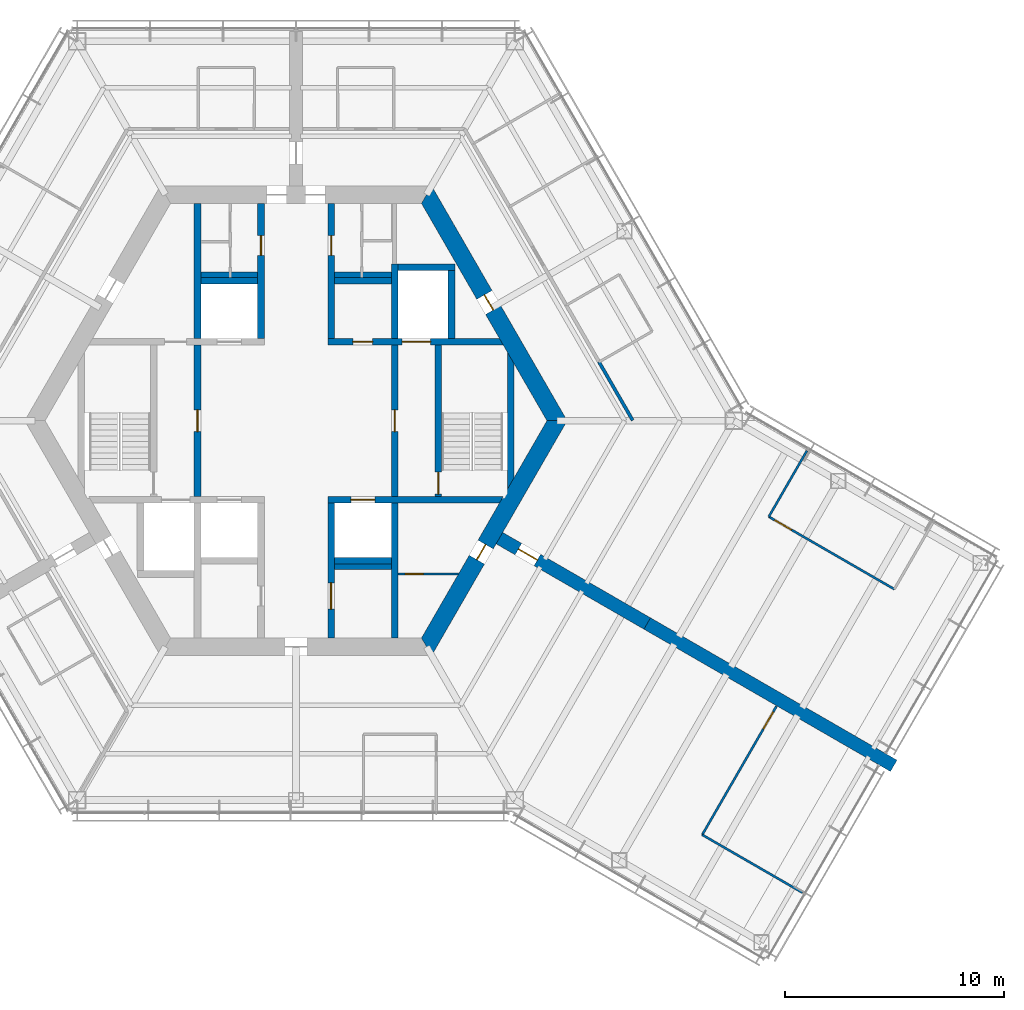
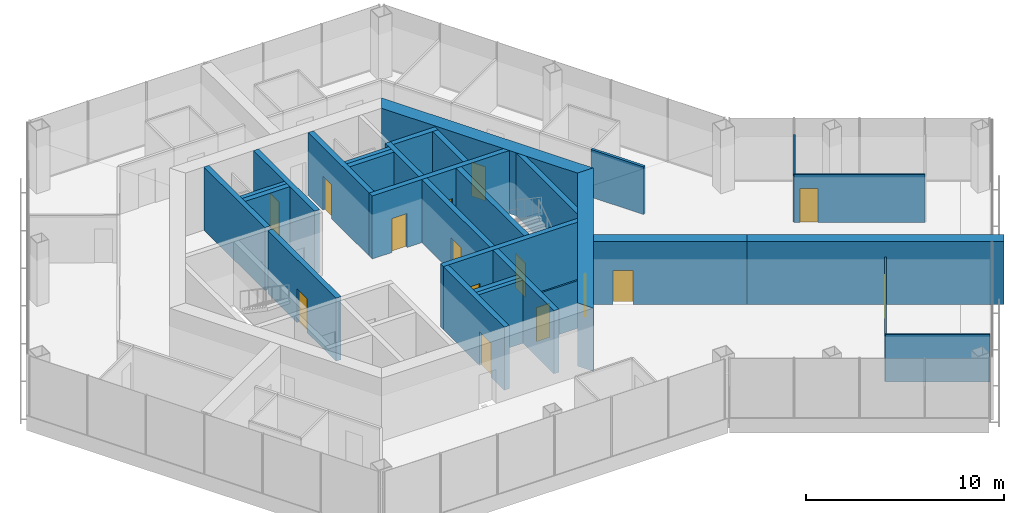
# One storey, part 11 of 15: 30 walls, 15 doors, 15 openings.
"""IFC4 building model written with IfcOpenShell, lengths in metres."""

import ifcopenshell
import ifcopenshell.guid

model = None  # the IFC model being written
_history = None  # IfcOwnerHistory: only IFC2X3 demands one
_inside = {}  # id of a spatial element -> (the spatial element, [elements in it])
_under = {}  # id of a project, library or spatial element -> (it, [spatial elements below it])
_declared = {}  # id of a project -> (the project, [libraries it declares])
_typed = {}  # id of a type object -> (the type object, [elements of that type])
_made_of = {}  # id of a material, layer set ... -> (it, [elements and type objects made of it])


def new_model(schema):
    """Start an empty IFC model of exactly this schema.

    Asked for "IFC4X3", IfcOpenShell would pick the latest addendum, in which some entities
    have other attributes; the version numbers below select the first issue.
    IFC2X3 requires an IfcOwnerHistory on every rooted entity: one is made here for all.
    """
    global model, _history
    if schema == "IFC4X3":
        model = ifcopenshell.file(schema_version=(4, 3, 0, 0))
    else:
        model = ifcopenshell.file(schema=schema)
    _inside.clear()
    _under.clear()
    _declared.clear()
    _typed.clear()
    _made_of.clear()
    _history = None
    if model.schema == "IFC2X3":
        org = make("IfcOrganization", Name="unknown")
        user = make(
            "IfcPersonAndOrganization",
            ThePerson=make("IfcPerson", FamilyName="unknown"),
            TheOrganization=org,
        )
        app = make(
            "IfcApplication",
            ApplicationDeveloper=org,
            Version="unknown",
            ApplicationFullName="unknown",
            ApplicationIdentifier="unknown",
        )
        _history = make(
            "IfcOwnerHistory",
            OwningUser=user,
            OwningApplication=app,
            ChangeAction="ADDED",
            CreationDate=0,
        )
    return model


def make(cls, **values):
    """One entity of the class cls with the attributes given. An attribute that is None is left unset."""
    return model.create_entity(
        cls, **{name: value for name, value in values.items() if value is not None}
    )


def rooted(cls, **values):
    """An entity with a GlobalId (a new one), such as an element, a storey or a relation."""
    return make(cls, GlobalId=ifcopenshell.guid.new(), OwnerHistory=_history, **values)


def si_unit(unit_type, name, prefix=None):
    """IfcSIUnit, for example si_unit("LENGTHUNIT", "METRE", prefix="MILLI")."""
    return make("IfcSIUnit", UnitType=unit_type, Prefix=prefix, Name=name)


def assignment(units):
    """IfcUnitAssignment: the units of a project."""
    return None if units is None else make("IfcUnitAssignment", Units=units)


def point(xyz):
    """IfcCartesianPoint."""
    return None if xyz is None else make("IfcCartesianPoint", Coordinates=xyz)


def direction(xyz):
    """IfcDirection."""
    return None if xyz is None else make("IfcDirection", DirectionRatios=xyz)


def frame(location, z_axis=None, x_axis=None):
    """IfcAxis2Placement3D, a coordinate frame: its origin and axes. An axis left out is left unset."""
    return make(
        "IfcAxis2Placement3D",
        Location=point(location),
        Axis=direction(z_axis),
        RefDirection=direction(x_axis),
    )


def frame_2d(location, x_axis=None):
    """IfcAxis2Placement2D, a coordinate frame in the plane: its origin and x axis."""
    return make(
        "IfcAxis2Placement2D", Location=point(location), RefDirection=direction(x_axis)
    )


def origin():
    """The frame at (0, 0, 0) with its axes left unset."""
    return frame((0.0, 0.0, 0.0))


def place(relative_to, where):
    """IfcLocalPlacement: puts the frame where relative to a parent placement (None: the world)."""
    return make(
        "IfcLocalPlacement", PlacementRelTo=relative_to, RelativePlacement=where
    )


def context(
    kind, dimensions, precision=None, world=None, true_north=None, identifier=None
):
    """IfcGeometricRepresentationContext, for example the 3D "Model" context."""
    return make(
        "IfcGeometricRepresentationContext",
        ContextIdentifier=identifier,
        ContextType=kind,
        CoordinateSpaceDimension=dimensions,
        Precision=precision,
        WorldCoordinateSystem=world,
        TrueNorth=true_north,
    )


def subcontext(parent, identifier, kind, view, scale=None):
    """IfcGeometricRepresentationSubContext, for example "Body" below "Model"."""
    return make(
        "IfcGeometricRepresentationSubContext",
        ContextIdentifier=identifier,
        ContextType=kind,
        ParentContext=parent,
        TargetScale=scale,
        TargetView=view,
    )


def project(units=None, contexts=None):
    """IfcProject with its units and contexts."""
    return rooted(
        "IfcProject",
        Name="project",
        RepresentationContexts=contexts,
        UnitsInContext=assignment(units),
    )


def spatial(cls, under=None, at=None, **own):
    """A site, building, storey or space (cls), placed at a placement, below another one or the project."""
    s = rooted(cls, ObjectPlacement=at, **own)
    if under is not None:
        _under.setdefault(under.id(), (under, []))[1].append(s)
    return s


def polyline(points):
    """IfcPolyline through the points."""
    return make("IfcPolyline", Points=[point(p) for p in points])


def profile(cls, at=None, kind="AREA", **sizes):
    """A parametric profile (cls). Its sizes go by their IFC names, for example OverallWidth=200.0."""
    return make(cls, ProfileType=kind, Position=at, **sizes)


def rectangle(**sizes):
    """IfcRectangleProfileDef."""
    return profile("IfcRectangleProfileDef", **sizes)


def outline(outer, holes=None, kind="AREA"):
    """IfcArbitraryClosedProfileDef: a profile drawn as a closed curve; with holes, ...WithVoids."""
    if holes is None:
        return make("IfcArbitraryClosedProfileDef", ProfileType=kind, OuterCurve=outer)
    return make(
        "IfcArbitraryProfileDefWithVoids",
        ProfileType=kind,
        OuterCurve=outer,
        InnerCurves=holes,
    )


def extrude(swept, where, along, depth):
    """IfcExtrudedAreaSolid: the profile swept, set in the frame where, extruded along a direction by depth."""
    return make(
        "IfcExtrudedAreaSolid",
        SweptArea=swept,
        Position=where,
        ExtrudedDirection=direction(along),
        Depth=depth,
    )


def shape(context_of_items, identifier, shape_type, items):
    """IfcShapeRepresentation: the items that make up one representation, for example the "Body"."""
    return make(
        "IfcShapeRepresentation",
        ContextOfItems=context_of_items,
        RepresentationIdentifier=identifier,
        RepresentationType=shape_type,
        Items=items,
    )


def material(Name=None, Category=None):
    """IfcMaterial."""
    return make("IfcMaterial", Name=Name, Category=Category)


def layer(
    of_material, thickness, ventilated=None, Name=None, Category=None, Priority=None
):
    """IfcMaterialLayer: one layer of a wall or slab, of a material (None: an air gap)."""
    return make(
        "IfcMaterialLayer",
        Material=of_material,
        LayerThickness=thickness,
        IsVentilated=ventilated,
        Name=Name,
        Category=Category,
        Priority=Priority,
    )


def layer_set(layers, Name=None):
    """IfcMaterialLayerSet."""
    return make("IfcMaterialLayerSet", MaterialLayers=layers, LayerSetName=Name)


def made_of(thing, what):
    """Note that an element or type object is made of a material, layer set ...; save() writes the relation."""
    if what is not None:
        _made_of.setdefault(what.id(), (what, []))[1].append(thing)
    return thing


def type_object(cls, material=None, **own):
    """A type object (cls), such as IfcWallType, which elements share."""
    return made_of(rooted(cls, **own), material)


def element(
    cls,
    number,
    at=None,
    inside=None,
    cuts=None,
    type_object=None,
    material=None,
    context=None,
    identifier="Body",
    shape_type=None,
    held_by="IfcProductDefinitionShape",
    body=None,
    shapes=None,
    **own,
):
    """One element of the class cls, such as IfcWall. Its Tag is "e" and its number.

    at: its placement. inside: the storey or other place that contains it. cuts: it is an
    opening in that element (IfcRelVoidsElement). A single representation is given by context,
    identifier, shape_type and body (its items); several are given by shapes. held_by: the class
    of the entity that holds the representations. save() writes the other relations.
    """
    e = rooted(cls, Tag="e%d" % number, ObjectPlacement=at, **own)
    if body is not None:
        shapes = [shape(context, identifier, shape_type, body)]
    if shapes is not None:
        e.Representation = make(held_by, Representations=shapes)
    if inside is not None:
        _inside.setdefault(inside.id(), (inside, []))[1].append(e)
    if cuts is not None:
        rooted(
            "IfcRelVoidsElement", RelatingBuildingElement=cuts, RelatedOpeningElement=e
        )
    if type_object is not None:
        _typed.setdefault(type_object.id(), (type_object, []))[1].append(e)
    return made_of(e, material)


def fill(opening, filler):
    """IfcRelFillsElement: the door or window that sits in an opening."""
    return rooted(
        "IfcRelFillsElement",
        RelatingOpeningElement=opening,
        RelatedBuildingElement=filler,
    )


def aggregate(whole, parts):
    """IfcRelAggregates: a whole, such as a stair, and the parts it consists of."""
    return rooted("IfcRelAggregates", RelatingObject=whole, RelatedObjects=parts)


def save(model, path):
    """Write the relations noted so far, then the file.

    IfcRelAggregates (storeys below a building ...), IfcRelContainedInSpatialStructure (elements
    in a storey), IfcRelDefinesByType, IfcRelAssociatesMaterial and IfcRelDeclares: one each for
    every whole, place, type object, material and project.
    """
    for whole, parts in _under.values():
        aggregate(whole, parts)
    for where, things in _inside.values():
        rooted(
            "IfcRelContainedInSpatialStructure",
            RelatedElements=things,
            RelatingStructure=where,
        )
    for kind, things in _typed.values():
        rooted("IfcRelDefinesByType", RelatedObjects=things, RelatingType=kind)
    for what, things in _made_of.values():
        rooted("IfcRelAssociatesMaterial", RelatedObjects=things, RelatingMaterial=what)
    for by, libraries in _declared.values():
        rooted("IfcRelDeclares", RelatingContext=by, RelatedDefinitions=libraries)
    model.write(path)


model = new_model("IFC4")

# Units and contexts
model_context = context("Model", 3, precision=1e-05, world=origin(), true_north=direction((0.0, 1.0)))
body_context = subcontext(model_context, "Body", "Model", "MODEL_VIEW")
ifc_project = project(units=[si_unit("LENGTHUNIT", "METRE"), si_unit("AREAUNIT", "SQUARE_METRE"), si_unit("VOLUMEUNIT", "CUBIC_METRE"), si_unit("PLANEANGLEUNIT", "RADIAN"), si_unit("MASSUNIT", "GRAM", prefix="KILO")], contexts=[model_context])

# Site, building, storey
site_placement = place(None, origin())
site = spatial("IfcSite", under=ifc_project, at=site_placement, CompositionType="ELEMENT")
building_placement = place(site_placement, origin())
building = spatial("IfcBuilding", under=site, at=building_placement, Name="Kasaneha Research Tower", CompositionType="ELEMENT")
storey_placement = place(building_placement, frame((0.0, 0.0, 240.10009765625)))
storey = spatial("IfcBuildingStorey", under=building, at=storey_placement, Name="L60", CompositionType="ELEMENT", Elevation=240.10009765625)

# Wall, openings, doors
ifc_material_1 = material(Name="Concrete Fc60", Category="concrete")
ifc_layer_1 = layer(ifc_material_1, 0.300048828125)
ifc_layer_set_1 = layer_set([ifc_layer_1], Name="Core internal wall 300 Fc60")
wall_type_1 = type_object("IfcWallType", Name="Core internal wall 300 Fc60", PredefinedType="SHEAR", material=ifc_layer_set_1)
wall_1_placement = place(storey_placement, frame((1.449951171875, 3.60009765625, 0.0), z_axis=(0.0, 0.0, 1.0), x_axis=(1.0, 0.0, 0.0)))
wall_1 = element("IfcWall", 1, at=wall_1_placement, inside=storey, type_object=wall_type_1, Name="Core wall W1E L60", PredefinedType="SHEAR", context=body_context, shape_type="SweptSolid", body=[
    extrude(outline(polyline([(0.0, -0.14990234375), (1.14990234375, -0.14990234375), (2.0498046875, -0.14990234375), (3.39990234375, -0.14990234375), (4.699951171875, -0.14990234375), (8.0185546875, -0.14990234375), (7.84521484375, 0.14990234375), (4.699951171875, 0.14990234375), (3.39990234375, 0.14990234375), (2.0498046875, 0.14990234375), (1.14990234375, 0.14990234375), (0.0, 0.14990234375), (0.0, -0.14990234375)])), origin(), (0.0, 0.0, 1.0), 3.89990234375),
])
opening_1_placement = place(wall_1_placement, frame((1.14990234375, 0.0, 0.0)))
opening_1 = element("IfcOpeningElement", 2, at=opening_1_placement, cuts=wall_1, Name="Opening L60-D17", PredefinedType="OPENING", context=body_context, shape_type="SweptSolid", body=[
    extrude(rectangle(XDim=0.89990234375, YDim=2.10009765625, at=frame_2d((0.449951171875, 1.050048828125))), frame((0.0, 0.16015625, 0.0), z_axis=(0.0, -1.0, 0.0), x_axis=(1.0, 0.0, 0.0)), (0.0, 0.0, 1.0), 0.320068359375),
])
opening_2_placement = place(wall_1_placement, frame((3.39990234375, 0.0, 0.0)))
opening_2 = element("IfcOpeningElement", 3, at=opening_2_placement, cuts=wall_1, Name="Opening LD-FL1-L60", PredefinedType="OPENING", context=body_context, shape_type="SweptSolid", body=[
    extrude(rectangle(XDim=1.300048828125, YDim=2.10009765625, at=frame_2d((0.64990234375, 1.050048828125))), frame((0.0, 0.16015625, 0.0), z_axis=(0.0, -1.0, 0.0), x_axis=(1.0, 0.0, 0.0)), (0.0, 0.0, 1.0), 0.320068359375),
])
ifc_material_2 = material(Name="Steel", Category="steel")
door_type_1 = type_object("IfcDoorType", Name="Lift landing door 1300x2100", OperationType="DOUBLE_DOOR_SLIDING", PredefinedType="DOOR", material=ifc_material_2)
door_1_placement = place(opening_2_placement, origin())
door_1 = element("IfcDoor", 4, at=door_1_placement, inside=storey, type_object=door_type_1, Name="Landing door FL1 LD-FL1-L60", OperationType="DOUBLE_DOOR_SLIDING", OverallHeight=2.10009765625, OverallWidth=1.300048828125, PredefinedType="DOOR", context=body_context, shape_type="SweptSolid", body=[
    extrude(rectangle(XDim=1.300048828125, YDim=2.10009765625, at=frame_2d((0.64990234375, 1.050048828125))), frame((0.0, 0.02490234375, 0.0), z_axis=(0.0, -1.0, 0.0), x_axis=(1.0, 0.0, 0.0)), (0.0, 0.0, 1.0), 0.050048828125),
])
fill(opening_2, door_1)
ifc_material_3 = material(Name="Steel", Category="steel")
door_type_2 = type_object("IfcDoorType", Name="Shaft room door FD60 900x2100", OperationType="NOTDEFINED", PredefinedType="DOOR", material=ifc_material_3)
door_2_placement = place(opening_1_placement, origin())
door_2 = element("IfcDoor", 5, at=door_2_placement, inside=storey, type_object=door_type_2, Name="Housekeeping store door L60-D17", OperationType="SINGLE_SWING_LEFT", OverallHeight=2.10009765625, OverallWidth=0.89990234375, PredefinedType="DOOR", context=body_context, shape_type="SweptSolid", body=[
    extrude(rectangle(XDim=0.89990234375, YDim=2.10009765625, at=frame_2d((0.449951171875, 1.050048828125))), frame((0.0, 0.02490234375, 0.0), z_axis=(0.0, -1.0, 0.0), x_axis=(1.0, 0.0, 0.0)), (0.0, 0.0, 1.0), 0.050048828125),
])
fill(opening_1, door_2)

# Wall, opening, door
wall_2_placement = place(storey_placement, frame((1.449951171875, -3.60009765625, 0.0), z_axis=(0.0, 0.0, 1.0), x_axis=(1.0, 0.0, 0.0)))
wall_2 = element("IfcWall", 6, at=wall_2_placement, inside=storey, type_object=wall_type_1, Name="Core wall W2E L60", PredefinedType="SHEAR", context=body_context, shape_type="SweptSolid", body=[
    extrude(outline(polyline([(0.0, -0.14990234375), (1.050048828125, -0.14990234375), (2.150146484375, -0.14990234375), (7.84521484375, -0.14990234375), (8.0185546875, 0.14990234375), (2.150146484375, 0.14990234375), (1.050048828125, 0.14990234375), (0.0, 0.14990234375), (0.0, -0.14990234375)])), origin(), (0.0, 0.0, 1.0), 3.89990234375),
])
opening_3_placement = place(wall_2_placement, frame((1.050048828125, 0.0, 0.0)))
opening_3 = element("IfcOpeningElement", 7, at=opening_3_placement, cuts=wall_2, Name="Opening LD-LH3-L60", PredefinedType="OPENING", context=body_context, shape_type="SweptSolid", body=[
    extrude(rectangle(XDim=1.10009765625, YDim=2.10009765625, at=frame_2d((0.550048828125, 1.050048828125))), frame((0.0, 0.16015625, 0.0), z_axis=(0.0, -1.0, 0.0), x_axis=(1.0, 0.0, 0.0)), (0.0, 0.0, 1.0), 0.320068359375),
])
ifc_material_4 = material(Name="Steel", Category="steel")
door_type_3 = type_object("IfcDoorType", Name="Lift landing door 1100x2100", OperationType="DOUBLE_DOOR_SLIDING", PredefinedType="DOOR", material=ifc_material_4)
door_3_placement = place(opening_3_placement, origin())
door_3 = element("IfcDoor", 8, at=door_3_placement, inside=storey, type_object=door_type_3, Name="Landing door LH3 LD-LH3-L60", OperationType="DOUBLE_DOOR_SLIDING", OverallHeight=2.10009765625, OverallWidth=1.10009765625, PredefinedType="DOOR", context=body_context, shape_type="SweptSolid", body=[
    extrude(rectangle(XDim=1.10009765625, YDim=2.10009765625, at=frame_2d((0.550048828125, 1.050048828125))), frame((0.0, 0.02490234375, 0.0), z_axis=(0.0, -1.0, 0.0), x_axis=(1.0, 0.0, 0.0)), (0.0, 0.0, 1.0), 0.050048828125),
])
fill(opening_3, door_3)

wall_3_placement = place(storey_placement, frame((-1.60009765625, 3.75, 0.0), z_axis=(0.0, 0.0, 1.0), x_axis=(0.0, 1.0, 0.0)))
wall_3 = element("IfcWall", 9, at=wall_3_placement, inside=storey, type_object=wall_type_1, Name="Core wall CNW L60", PredefinedType="SHEAR", context=body_context, shape_type="SweptSolid", body=[
    extrude(rectangle(XDim=6.175048828125, YDim=0.300048828125, at=frame_2d((3.08740234375, 0.0))), origin(), (0.0, 0.0, 1.0), 3.89990234375),
])
opening_4_placement = place(wall_3_placement, frame((3.800048828125, 0.0, 0.0)))
opening_4 = element("IfcOpeningElement", 10, at=opening_4_placement, cuts=wall_3, Name="Opening L60-D13", PredefinedType="OPENING", context=body_context, shape_type="SweptSolid", body=[
    extrude(rectangle(XDim=0.89990234375, YDim=2.10009765625, at=frame_2d((0.449951171875, 1.050048828125))), frame((0.0, 0.16015625, 0.0), z_axis=(0.0, -1.0, 0.0), x_axis=(1.0, 0.0, 0.0)), (0.0, 0.0, 1.0), 0.320068359375),
])
ifc_material_5 = material(Name="Steel", Category="steel")
door_type_4 = type_object("IfcDoorType", Name="Toilet door FD20 900x2100", OperationType="NOTDEFINED", PredefinedType="DOOR", material=ifc_material_5)
door_4_placement = place(opening_4_placement, origin())
door_4 = element("IfcDoor", 11, at=door_4_placement, inside=storey, type_object=door_type_4, Name="Men's WC door L60-D13", OperationType="SINGLE_SWING_LEFT", OverallHeight=2.10009765625, OverallWidth=0.89990234375, PredefinedType="DOOR", context=body_context, shape_type="SweptSolid", body=[
    extrude(rectangle(XDim=0.89990234375, YDim=2.10009765625, at=frame_2d((0.449951171875, 1.050048828125))), frame((0.0, 0.02490234375, 0.0), z_axis=(0.0, -1.0, 0.0), x_axis=(1.0, 0.0, 0.0)), (0.0, 0.0, 1.0), 0.050048828125),
])
fill(opening_4, door_4)

wall_4_placement = place(storey_placement, frame((1.60009765625, 3.75, 0.0), z_axis=(0.0, 0.0, 1.0), x_axis=(0.0, 1.0, 0.0)))
wall_4 = element("IfcWall", 12, at=wall_4_placement, inside=storey, type_object=wall_type_1, Name="Core wall CNE L60", PredefinedType="SHEAR", context=body_context, shape_type="SweptSolid", body=[
    extrude(rectangle(XDim=6.175048828125, YDim=0.300048828125, at=frame_2d((3.08740234375, 0.0))), origin(), (0.0, 0.0, 1.0), 3.89990234375),
])
opening_5_placement = place(wall_4_placement, frame((3.800048828125, 0.0, 0.0)))
opening_5 = element("IfcOpeningElement", 13, at=opening_5_placement, cuts=wall_4, Name="Opening L60-D14", PredefinedType="OPENING", context=body_context, shape_type="SweptSolid", body=[
    extrude(rectangle(XDim=0.89990234375, YDim=2.10009765625, at=frame_2d((0.449951171875, 1.050048828125))), frame((0.0, 0.16015625, 0.0), z_axis=(0.0, -1.0, 0.0), x_axis=(1.0, 0.0, 0.0)), (0.0, 0.0, 1.0), 0.320068359375),
])
door_5_placement = place(opening_5_placement, origin())
door_5 = element("IfcDoor", 14, at=door_5_placement, inside=storey, type_object=door_type_4, Name="Women's WC door L60-D14", OperationType="SINGLE_SWING_LEFT", OverallHeight=2.10009765625, OverallWidth=0.89990234375, PredefinedType="DOOR", context=body_context, shape_type="SweptSolid", body=[
    extrude(rectangle(XDim=0.89990234375, YDim=2.10009765625, at=frame_2d((0.449951171875, 1.050048828125))), frame((0.0, 0.02490234375, 0.0), z_axis=(0.0, -1.0, 0.0), x_axis=(1.0, 0.0, 0.0)), (0.0, 0.0, 1.0), 0.050048828125),
])
fill(opening_5, door_5)

wall_5_placement = place(storey_placement, frame((1.60009765625, -3.75, 0.0), z_axis=(0.0, 0.0, 1.0), x_axis=(0.0, -1.0, 0.0)))
wall_5 = element("IfcWall", 15, at=wall_5_placement, inside=storey, type_object=wall_type_1, Name="Core wall CSE L60", PredefinedType="SHEAR", context=body_context, shape_type="SweptSolid", body=[
    extrude(rectangle(XDim=6.175048828125, YDim=0.300048828125, at=frame_2d((3.08740234375, 0.0))), origin(), (0.0, 0.0, 1.0), 3.89990234375),
])
opening_6_placement = place(wall_5_placement, frame((3.64990234375, 0.0, 0.0)))
opening_6 = element("IfcOpeningElement", 16, at=opening_6_placement, cuts=wall_5, Name="Opening L60-D15", PredefinedType="OPENING", context=body_context, shape_type="SweptSolid", body=[
    extrude(rectangle(XDim=1.199951171875, YDim=2.10009765625, at=frame_2d((0.60009765625, 1.050048828125))), frame((0.0, 0.16015625, 0.0), z_axis=(0.0, -1.0, 0.0), x_axis=(1.0, 0.0, 0.0)), (0.0, 0.0, 1.0), 0.320068359375),
])
ifc_material_6 = material(Name="Steel", Category="steel")
door_type_5 = type_object("IfcDoorType", Name="Accessible toilet sliding door FD20 1200x2100", OperationType="SLIDING_TO_LEFT", PredefinedType="DOOR", material=ifc_material_6)
door_6_placement = place(opening_6_placement, origin())
door_6 = element("IfcDoor", 17, at=door_6_placement, inside=storey, type_object=door_type_5, Name="Accessible WC door L60-D15", OperationType="SLIDING_TO_LEFT", OverallHeight=2.10009765625, OverallWidth=1.199951171875, PredefinedType="DOOR", context=body_context, shape_type="SweptSolid", body=[
    extrude(rectangle(XDim=1.199951171875, YDim=2.10009765625, at=frame_2d((0.60009765625, 1.050048828125))), frame((0.0, 0.02490234375, 0.0), z_axis=(0.0, -1.0, 0.0), x_axis=(1.0, 0.0, 0.0)), (0.0, 0.0, 1.0), 0.050048828125),
])
fill(opening_6, door_6)

wall_6_placement = place(storey_placement, frame((-4.5, -3.449951171875, 0.0), z_axis=(0.0, 0.0, 1.0), x_axis=(0.0, 1.0, 0.0)))
wall_6 = element("IfcWall", 18, at=wall_6_placement, inside=storey, type_object=wall_type_1, Name="Core wall LBW L60", PredefinedType="SHEAR", context=body_context, shape_type="SweptSolid", body=[
    extrude(rectangle(XDim=6.89990234375, YDim=0.300048828125, at=frame_2d((3.449951171875, 0.0))), origin(), (0.0, 0.0, 1.0), 3.89990234375),
])
opening_7_placement = place(wall_6_placement, frame((2.949951171875, 0.0, 0.0)))
opening_7 = element("IfcOpeningElement", 19, at=opening_7_placement, cuts=wall_6, Name="Opening L60-D09", PredefinedType="OPENING", context=body_context, shape_type="SweptSolid", body=[
    extrude(rectangle(XDim=1.0, YDim=2.10009765625, at=frame_2d((0.5, 1.050048828125))), frame((0.0, 0.16015625, 0.0), z_axis=(0.0, -1.0, 0.0), x_axis=(1.0, 0.0, 0.0)), (0.0, 0.0, 1.0), 0.320068359375),
])
ifc_material_7 = material(Name="Steel", Category="steel")
door_type_6 = type_object("IfcDoorType", Name="Specified fire door FD60 1000x2100", OperationType="NOTDEFINED", PredefinedType="DOOR", material=ifc_material_7)
door_7_placement = place(opening_7_placement, origin())
door_7 = element("IfcDoor", 20, at=door_7_placement, inside=storey, type_object=door_type_6, Name="Lift lobby door west L60-D09", OperationType="SINGLE_SWING_LEFT", OverallHeight=2.10009765625, OverallWidth=1.0, PredefinedType="DOOR", context=body_context, shape_type="SweptSolid", body=[
    extrude(rectangle(XDim=1.0, YDim=2.10009765625, at=frame_2d((0.5, 1.050048828125))), frame((0.0, 0.02490234375, 0.0), z_axis=(0.0, -1.0, 0.0), x_axis=(1.0, 0.0, 0.0)), (0.0, 0.0, 1.0), 0.050048828125),
])
fill(opening_7, door_7)

wall_7_placement = place(storey_placement, frame((4.5, -3.449951171875, 0.0), z_axis=(0.0, 0.0, 1.0), x_axis=(0.0, 1.0, 0.0)))
wall_7 = element("IfcWall", 21, at=wall_7_placement, inside=storey, type_object=wall_type_1, Name="Core wall LBE L60", PredefinedType="SHEAR", context=body_context, shape_type="SweptSolid", body=[
    extrude(rectangle(XDim=6.89990234375, YDim=0.300048828125, at=frame_2d((3.449951171875, 0.0))), origin(), (0.0, 0.0, 1.0), 3.89990234375),
])
opening_8_placement = place(wall_7_placement, frame((2.949951171875, 0.0, 0.0)))
opening_8 = element("IfcOpeningElement", 22, at=opening_8_placement, cuts=wall_7, Name="Opening L60-D08", PredefinedType="OPENING", context=body_context, shape_type="SweptSolid", body=[
    extrude(rectangle(XDim=1.0, YDim=2.10009765625, at=frame_2d((0.5, 1.050048828125))), frame((0.0, 0.16015625, 0.0), z_axis=(0.0, -1.0, 0.0), x_axis=(1.0, 0.0, 0.0)), (0.0, 0.0, 1.0), 0.320068359375),
])
door_8_placement = place(opening_8_placement, origin())
door_8 = element("IfcDoor", 23, at=door_8_placement, inside=storey, type_object=door_type_6, Name="Lift lobby door east L60-D08", OperationType="SINGLE_SWING_LEFT", OverallHeight=2.10009765625, OverallWidth=1.0, PredefinedType="DOOR", context=body_context, shape_type="SweptSolid", body=[
    extrude(rectangle(XDim=1.0, YDim=2.10009765625, at=frame_2d((0.5, 1.050048828125))), frame((0.0, 0.02490234375, 0.0), z_axis=(0.0, -1.0, 0.0), x_axis=(1.0, 0.0, 0.0)), (0.0, 0.0, 1.0), 0.050048828125),
])
fill(opening_8, door_8)

wall_8_placement = place(storey_placement, frame((6.5, -3.449951171875, 0.0), z_axis=(0.0, 0.0, 1.0), x_axis=(0.0, 1.0, 0.0)))
wall_8 = element("IfcWall", 24, at=wall_8_placement, inside=storey, type_object=wall_type_1, Name="Core wall ANE L60", PredefinedType="SHEAR", context=body_context, shape_type="SweptSolid", body=[
    extrude(rectangle(XDim=6.89990234375, YDim=0.300048828125, at=frame_2d((3.449951171875, 0.0))), origin(), (0.0, 0.0, 1.0), 3.89990234375),
])
opening_9_placement = place(wall_8_placement, frame((0.10009765625, 0.0, 0.0)))
opening_9 = element("IfcOpeningElement", 25, at=opening_9_placement, cuts=wall_8, Name="Opening L60-D10", PredefinedType="OPENING", context=body_context, shape_type="SweptSolid", body=[
    extrude(rectangle(XDim=1.0, YDim=2.10009765625, at=frame_2d((0.5, 1.050048828125))), frame((0.0, 0.16015625, 0.0), z_axis=(0.0, -1.0, 0.0), x_axis=(1.0, 0.0, 0.0)), (0.0, 0.0, 1.0), 0.320068359375),
])
door_9_placement = place(opening_9_placement, origin())
door_9 = element("IfcDoor", 26, at=door_9_placement, inside=storey, type_object=door_type_6, Name="Stair 1 door L60-D10", OperationType="SINGLE_SWING_LEFT", OverallHeight=2.10009765625, OverallWidth=1.0, PredefinedType="DOOR", context=body_context, shape_type="SweptSolid", body=[
    extrude(rectangle(XDim=1.0, YDim=2.10009765625, at=frame_2d((0.5, 1.050048828125))), frame((0.0, 0.02490234375, 0.0), z_axis=(0.0, -1.0, 0.0), x_axis=(1.0, 0.0, 0.0)), (0.0, 0.0, 1.0), 0.050048828125),
])
fill(opening_9, door_9)

# Walls
wall_9_placement = place(storey_placement, frame((-4.5, 3.75, 0.0), z_axis=(0.0, 0.0, 1.0), x_axis=(0.0, 1.0, 0.0)))
element("IfcWall", 27, at=wall_9_placement, inside=storey, type_object=wall_type_1, Name="Core wall VNW L60", PredefinedType="SHEAR", context=body_context, shape_type="SweptSolid", body=[
    extrude(rectangle(XDim=6.175048828125, YDim=0.300048828125, at=frame_2d((3.08740234375, 0.0))), origin(), (0.0, 0.0, 1.0), 3.89990234375),
])
wall_10_placement = place(storey_placement, frame((4.5, 3.75, 0.0), z_axis=(0.0, 0.0, 1.0), x_axis=(0.0, 1.0, 0.0)))
element("IfcWall", 28, at=wall_10_placement, inside=storey, type_object=wall_type_1, Name="Core wall FNE L60", PredefinedType="SHEAR", context=body_context, shape_type="SweptSolid", body=[
    extrude(rectangle(XDim=3.39990234375, YDim=0.300048828125, at=frame_2d((1.699951171875, 0.0))), origin(), (0.0, 0.0, 1.0), 3.89990234375),
])
wall_11_placement = place(storey_placement, frame((4.5, -3.75, 0.0), z_axis=(0.0, 0.0, 1.0), x_axis=(0.0, -1.0, 0.0)))
element("IfcWall", 29, at=wall_11_placement, inside=storey, type_object=wall_type_1, Name="Core wall SSE L60", PredefinedType="SHEAR", context=body_context, shape_type="SweptSolid", body=[
    extrude(rectangle(XDim=6.175048828125, YDim=0.300048828125, at=frame_2d((3.08740234375, 0.0))), origin(), (0.0, 0.0, 1.0), 3.89990234375),
])
for number, where, z_axis, x_axis, name in (
    (30, (-4.35009765625, 6.39990234375, 0.0), (0.0, 0.0, 1.0), (1.0, 0.0, 0.0), "Core wall N1N L60"),
    (31, (1.75, 6.39990234375, 0.0), (0.0, 0.0, 1.0), (1.0, 0.0, 0.0), "Core wall N3N L60"),
    (32, (1.75, -6.39990234375, 0.0), (0.0, 0.0, 1.0), (1.0, 0.0, 0.0), "Core wall S3S L60"),
    (33, (4.64990234375, 7.0, 0.0), (0.0, 0.0, 1.0), (1.0, 0.0, 0.0), "Core wall F1N L60"),
):
    element("IfcWall", number, at=place(storey_placement, frame(where, z_axis=z_axis, x_axis=x_axis)), inside=storey, type_object=wall_type_1, Name=name, PredefinedType="SHEAR", context=body_context, shape_type="SweptSolid", body=[
        extrude(rectangle(XDim=2.60009765625, YDim=0.300048828125, at=frame_2d((1.300048828125, 0.0))), origin(), (0.0, 0.0, 1.0), 3.89990234375),
    ])
wall_12_placement = place(storey_placement, frame((7.10009765625, 3.75, 0.0), z_axis=(0.0, 0.0, 1.0), x_axis=(0.0, 1.0, 0.0)))
element("IfcWall", 34, at=wall_12_placement, inside=storey, type_object=wall_type_1, Name="Core wall F1E L60", PredefinedType="SHEAR", context=body_context, shape_type="SweptSolid", body=[
    extrude(rectangle(XDim=3.10009765625, YDim=0.300048828125, at=frame_2d((1.550048828125, 0.0))), origin(), (0.0, 0.0, 1.0), 3.89990234375),
])
wall_13_placement = place(storey_placement, frame((9.807861328125, -2.8623046875, 0.0), z_axis=(0.0, 0.0, 1.0), x_axis=(0.0, 1.0, 0.0)))
element("IfcWall", 35, at=wall_13_placement, inside=storey, type_object=wall_type_1, Name="Core wall STE L60", PredefinedType="SHEAR", context=body_context, shape_type="SweptSolid", body=[
    extrude(outline(polyline([(0.259765625, -0.14990234375), (5.46484375, -0.14990234375), (5.984375, 0.14990234375), (-0.259765625, 0.14990234375), (0.259765625, -0.14990234375)])), origin(), (0.0, 0.0, 1.0), 3.89990234375),
])

# Wall, opening, door
ifc_material_8 = material(Name="Concrete Fc60", Category="concrete")
ifc_layer_2 = layer(ifc_material_8, 0.800048828125)
ifc_layer_set_2 = layer_set([ifc_layer_2], Name="Core wall 800 Fc60")
wall_type_2 = type_object("IfcWallType", Name="Core wall 800 Fc60", PredefinedType="SHEAR", material=ifc_layer_set_2)
wall_14_placement = place(storey_placement, frame((11.92236328125, 0.0, 0.0), z_axis=(0.0, 0.0, 1.0), x_axis=(-0.500004296715, 0.866022923061, 0.0)))
wall_14 = element("IfcWall", 36, at=wall_14_placement, inside=storey, type_object=wall_type_2, Name="Core wall 030 L60", PredefinedType="SHEAR", context=body_context, shape_type="SweptSolid", body=[
    extrude(outline(polyline([(-0.23095703125, -0.39990234375), (5.83544921875, -0.39990234375), (6.635498046875, -0.39990234375), (12.1533203125, -0.39990234375), (11.69140625, 0.39990234375), (6.635498046875, 0.39990234375), (5.83544921875, 0.39990234375), (0.23095703125, 0.39990234375), (-0.23095703125, -0.39990234375)])), origin(), (0.0, 0.0, 1.0), 3.89990234375),
])
opening_10_placement = place(wall_14_placement, frame((5.83544921875, 0.0, 0.0)))
opening_10 = element("IfcOpeningElement", 37, at=opening_10_placement, cuts=wall_14, Name="Opening L60-D04", PredefinedType="OPENING", context=body_context, shape_type="SweptSolid", body=[
    extrude(rectangle(XDim=0.800048828125, YDim=2.10009765625, at=frame_2d((0.39990234375, 1.050048828125))), frame((0.0, 0.41015625, 0.0), z_axis=(0.0, -1.0, 0.0), x_axis=(1.0, 0.0, 0.0)), (0.0, 0.0, 1.0), 0.820068359375),
])
ifc_material_9 = material(Name="Steel", Category="steel")
door_type_7 = type_object("IfcDoorType", Name="Riser access door FD60 800x2100", OperationType="NOTDEFINED", PredefinedType="DOOR", material=ifc_material_9)
door_10_placement = place(opening_10_placement, origin())
door_10 = element("IfcDoor", 38, at=door_10_placement, inside=storey, type_object=door_type_7, Name="Pipe riser door L60-D04", OperationType="SINGLE_SWING_RIGHT", OverallHeight=2.10009765625, OverallWidth=0.800048828125, PredefinedType="DOOR", context=body_context, shape_type="SweptSolid", body=[
    extrude(rectangle(XDim=0.800048828125, YDim=2.10009765625, at=frame_2d((0.39990234375, 1.050048828125))), frame((0.0, 0.02490234375, 0.0), z_axis=(0.0, -1.0, 0.0), x_axis=(1.0, 0.0, 0.0)), (0.0, 0.0, 1.0), 0.050048828125),
])
fill(opening_10, door_10)

wall_15_placement = place(storey_placement, frame((5.961181640625, -10.324951171875, 0.0), z_axis=(0.0, 0.0, 1.0), x_axis=(0.500004296715, 0.866022923061, 0.0)))
wall_15 = element("IfcWall", 39, at=wall_15_placement, inside=storey, type_object=wall_type_2, Name="Core wall 330 L60", PredefinedType="SHEAR", context=body_context, shape_type="SweptSolid", body=[
    extrude(outline(polyline([(-0.23095703125, -0.39990234375), (4.593994140625, -0.39990234375), (5.39404296875, -0.39990234375), (12.1533203125, -0.39990234375), (11.69140625, 0.39990234375), (5.39404296875, 0.39990234375), (4.593994140625, 0.39990234375), (0.23095703125, 0.39990234375), (-0.23095703125, -0.39990234375)])), origin(), (0.0, 0.0, 1.0), 3.89990234375),
])
opening_11_placement = place(wall_15_placement, frame((4.593994140625, 0.0, 0.0)))
opening_11 = element("IfcOpeningElement", 40, at=opening_11_placement, cuts=wall_15, Name="Opening L60-D05", PredefinedType="OPENING", context=body_context, shape_type="SweptSolid", body=[
    extrude(rectangle(XDim=0.800048828125, YDim=2.10009765625, at=frame_2d((0.39990234375, 1.050048828125))), frame((0.0, 0.41015625, 0.0), z_axis=(0.0, -1.0, 0.0), x_axis=(1.0, 0.0, 0.0)), (0.0, 0.0, 1.0), 0.820068359375),
])
door_11_placement = place(opening_11_placement, origin())
door_11 = element("IfcDoor", 41, at=door_11_placement, inside=storey, type_object=door_type_7, Name="Pipe riser door L60-D05", OperationType="SINGLE_SWING_LEFT", OverallHeight=2.10009765625, OverallWidth=0.800048828125, PredefinedType="DOOR", context=body_context, shape_type="SweptSolid", body=[
    extrude(rectangle(XDim=0.800048828125, YDim=2.10009765625, at=frame_2d((0.39990234375, 1.050048828125))), frame((0.0, 0.02490234375, 0.0), z_axis=(0.0, -1.0, 0.0), x_axis=(1.0, 0.0, 0.0)), (0.0, 0.0, 1.0), 0.050048828125),
])
fill(opening_11, door_11)

ifc_material_10 = material(Name="Gypsum board on steel studs, one layer each side", Category="steel")
ifc_layer_3 = layer(ifc_material_10, 0.10009765625)
ifc_layer_set_3 = layer_set([ifc_layer_3], Name="Office partition 100")
wall_type_3 = type_object("IfcWallType", Name="Office partition 100", PredefinedType="PARTITIONING", material=ifc_layer_set_3)
wall_16_placement = place(storey_placement, frame((4.64990234375, -7.0, 0.0), z_axis=(0.0, 0.0, 1.0), x_axis=(1.0, 0.0, 0.0)))
wall_16 = element("IfcWall", 42, at=wall_16_placement, inside=storey, type_object=wall_type_3, Name="Office partition RS-SE L60", PredefinedType="PARTITIONING", context=body_context, shape_type="SweptSolid", body=[
    extrude(outline(polyline([(0.0, -0.050048828125), (0.35009765625, -0.050048828125), (1.150146484375, -0.050048828125), (2.740234375, -0.050048828125), (2.76904296875, 0.0), (2.77490234375, 0.050048828125), (1.150146484375, 0.050048828125), (0.35009765625, 0.050048828125), (0.0, 0.050048828125), (0.0, -0.050048828125)])), origin(), (0.0, 0.0, 1.0), 2.949951171875),
])
opening_12_placement = place(wall_16_placement, frame((0.35009765625, 0.0, 0.0)))
opening_12 = element("IfcOpeningElement", 43, at=opening_12_placement, cuts=wall_16, Name="Opening L60-D25", PredefinedType="OPENING", context=body_context, shape_type="SweptSolid", body=[
    extrude(rectangle(XDim=0.800048828125, YDim=2.10009765625, at=frame_2d((0.39990234375, 1.050048828125))), frame((0.0, 0.06005859375, 0.0), z_axis=(0.0, -1.0, 0.0), x_axis=(1.0, 0.0, 0.0)), (0.0, 0.0, 1.0), 0.1201171875),
])
door_12_placement = place(opening_12_placement, origin())
door_12 = element("IfcDoor", 44, at=door_12_placement, inside=storey, type_object=door_type_7, Name="Drainage riser door L60-D25", OperationType="SINGLE_SWING_LEFT", OverallHeight=2.10009765625, OverallWidth=0.800048828125, PredefinedType="DOOR", context=body_context, shape_type="SweptSolid", body=[
    extrude(rectangle(XDim=0.800048828125, YDim=2.10009765625, at=frame_2d((0.39990234375, 1.050048828125))), frame((0.0, 0.02490234375, 0.0), z_axis=(0.0, -1.0, 0.0), x_axis=(1.0, 0.0, 0.0)), (0.0, 0.0, 1.0), 0.050048828125),
])
fill(opening_12, door_12)

# Wall
wall_17_placement = place(storey_placement, frame((21.59228515625, -4.38330078125, 0.0), z_axis=(0.0, 0.0, 1.0), x_axis=(0.500009906705, 0.86601968407, 0.0)))
element("IfcWall", 45, at=wall_17_placement, inside=storey, type_object=wall_type_3, Name="Office partition FCE01 L60", PredefinedType="PARTITIONING", context=body_context, shape_type="SweptSolid", body=[
    extrude(rectangle(XDim=3.47998046875, YDim=0.10009765625, at=frame_2d((1.739990234375, 0.0))), origin(), (0.0, 0.0, 1.0), 2.949951171875),
])

# Wall, opening, door
wall_18_placement = place(storey_placement, frame((27.324951171875, -7.693115234375, 0.0), z_axis=(0.0, 0.0, 1.0), x_axis=(-0.866021597574, 0.500006592492, 0.0)))
wall_18 = element("IfcWall", 46, at=wall_18_placement, inside=storey, type_object=wall_type_3, Name="Office partition FCE02 L60", PredefinedType="PARTITIONING", context=body_context, shape_type="SweptSolid", body=[
    extrude(rectangle(XDim=6.61962890625, YDim=0.10009765625, at=frame_2d((3.309814453125, 0.0))), origin(), (0.0, 0.0, 1.0), 2.949951171875),
])
opening_13_placement = place(wall_18_placement, frame((5.419677734375, 0.0, 0.0)))
opening_13 = element("IfcOpeningElement", 47, at=opening_13_placement, cuts=wall_18, Name="Opening L60-D38", PredefinedType="OPENING", context=body_context, shape_type="SweptSolid", body=[
    extrude(rectangle(XDim=0.89990234375, YDim=2.10009765625, at=frame_2d((0.449951171875, 1.050048828125))), frame((0.0, 0.06005859375, 0.0), z_axis=(0.0, -1.0, 0.0), x_axis=(1.0, 0.0, 0.0)), (0.0, 0.0, 1.0), 0.1201171875),
])
ifc_material_11 = material(Name="Timber veneer", Category="wood")
door_type_8 = type_object("IfcDoorType", Name="Office door 900x2100", OperationType="SINGLE_SWING_LEFT", PredefinedType="DOOR", material=ifc_material_11)
door_13_placement = place(opening_13_placement, origin())
door_13 = element("IfcDoor", 48, at=door_13_placement, inside=storey, type_object=door_type_8, Name="Meeting room door L60-D38", OperationType="SINGLE_SWING_RIGHT", OverallHeight=2.10009765625, OverallWidth=0.89990234375, PredefinedType="DOOR", context=body_context, shape_type="SweptSolid", body=[
    extrude(rectangle(XDim=0.89990234375, YDim=2.10009765625, at=frame_2d((0.449951171875, 1.050048828125))), frame((0.0, 0.02490234375, 0.0), z_axis=(0.0, -1.0, 0.0), x_axis=(1.0, 0.0, 0.0)), (0.0, 0.0, 1.0), 0.050048828125),
])
fill(opening_13, door_13)

wall_19_placement = place(storey_placement, frame((18.551513671875, -18.908935546875, 0.0), z_axis=(0.0, 0.0, 1.0), x_axis=(0.499992600721, 0.866029675718, 0.0)))
wall_19 = element("IfcWall", 49, at=wall_19_placement, inside=storey, type_object=wall_type_3, Name="Office partition FCS01 L60", PredefinedType="PARTITIONING", context=body_context, shape_type="SweptSolid", body=[
    extrude(rectangle(XDim=6.77978515625, YDim=0.10009765625, at=frame_2d((3.389892578125, 0.0))), origin(), (0.0, 0.0, 1.0), 2.949951171875),
])
opening_14_placement = place(wall_19_placement, frame((5.580078125, 0.0, 0.0)))
opening_14 = element("IfcOpeningElement", 50, at=opening_14_placement, cuts=wall_19, Name="Opening L60-D39", PredefinedType="OPENING", context=body_context, shape_type="SweptSolid", body=[
    extrude(rectangle(XDim=0.89990234375, YDim=2.10009765625, at=frame_2d((0.449951171875, 1.050048828125))), frame((0.0, 0.06005859375, 0.0), z_axis=(0.0, -1.0, 0.0), x_axis=(1.0, 0.0, 0.0)), (0.0, 0.0, 1.0), 0.1201171875),
])
door_14_placement = place(opening_14_placement, origin())
door_14 = element("IfcDoor", 51, at=door_14_placement, inside=storey, type_object=door_type_8, Name="Board meeting room door L60-D39", OperationType="SINGLE_SWING_RIGHT", OverallHeight=2.10009765625, OverallWidth=0.89990234375, PredefinedType="DOOR", context=body_context, shape_type="SweptSolid", body=[
    extrude(rectangle(XDim=0.89990234375, YDim=2.10009765625, at=frame_2d((0.449951171875, 1.050048828125))), frame((0.0, 0.02490234375, 0.0), z_axis=(0.0, -1.0, 0.0), x_axis=(1.0, 0.0, 0.0)), (0.0, 0.0, 1.0), 0.050048828125),
])
fill(opening_14, door_14)

# Wall
wall_20_placement = place(storey_placement, frame((23.1240234375, -21.549072265625, 0.0), z_axis=(0.0, 0.0, 1.0), x_axis=(-0.866009249374, 0.500027979216, 0.0)))
element("IfcWall", 52, at=wall_20_placement, inside=storey, type_object=wall_type_3, Name="Office partition FCS02 L60", PredefinedType="PARTITIONING", context=body_context, shape_type="SweptSolid", body=[
    extrude(rectangle(XDim=5.280029296875, YDim=0.10009765625, at=frame_2d((2.64013671875, 0.0))), origin(), (0.0, 0.0, 1.0), 2.949951171875),
])

# Wall, opening, door
ifc_material_12 = material(Name="Concrete Fc60", Category="concrete")
ifc_layer_4 = layer(ifc_material_12, 0.60009765625)
ifc_layer_set_4 = layer_set([ifc_layer_4], Name="Spine wall 600 Fc60")
wall_type_4 = type_object("IfcWallType", Name="Spine wall 600 Fc60", PredefinedType="SHEAR", material=ifc_layer_set_4)
wall_21_placement = place(storey_placement, frame((9.2880859375, -5.362548828125, 0.0), z_axis=(0.0, 0.0, 1.0), x_axis=(0.866031736626, -0.499989031036, 0.0)))
wall_21 = element("IfcWall", 53, at=wall_21_placement, inside=storey, type_object=wall_type_4, Name="Spine wall C L60", PredefinedType="SHEAR", context=body_context, shape_type="SweptSolid", body=[
    extrude(rectangle(XDim=7.795654296875, YDim=0.60009765625, at=frame_2d((3.89794921875, 0.0))), origin(), (0.0, 0.0, 1.0), 3.89990234375),
])
opening_15_placement = place(wall_21_placement, frame((1.0, 0.0, 0.0)))
opening_15 = element("IfcOpeningElement", 54, at=opening_15_placement, cuts=wall_21, Name="Opening L60-D20", PredefinedType="OPENING", context=body_context, shape_type="SweptSolid", body=[
    extrude(rectangle(XDim=1.0, YDim=2.10009765625, at=frame_2d((0.5, 1.050048828125))), frame((0.0, 0.31005859375, 0.0), z_axis=(0.0, -1.0, 0.0), x_axis=(1.0, 0.0, 0.0)), (0.0, 0.0, 1.0), 0.6201171875),
])
door_15_placement = place(opening_15_placement, origin())
door_15 = element("IfcDoor", 55, at=door_15_placement, inside=storey, type_object=door_type_6, Name="Spine doorway C L60-D20", OperationType="SINGLE_SWING_LEFT", OverallHeight=2.10009765625, OverallWidth=1.0, PredefinedType="DOOR", context=body_context, shape_type="SweptSolid", body=[
    extrude(rectangle(XDim=1.0, YDim=2.10009765625, at=frame_2d((0.5, 1.050048828125))), frame((0.0, 0.02490234375, 0.0), z_axis=(0.0, -1.0, 0.0), x_axis=(1.0, 0.0, 0.0)), (0.0, 0.0, 1.0), 0.050048828125),
])
fill(opening_15, door_15)

# Walls
wall_22_placement = place(storey_placement, frame((16.039306640625, -9.26025390625, 0.0), z_axis=(0.0, 0.0, 1.0), x_axis=(0.866024837091, -0.50000098154, 0.0)))
element("IfcWall", 56, at=wall_22_placement, inside=storey, type_object=wall_type_4, Name="Spine wall C wing L60", PredefinedType="SHEAR", context=body_context, shape_type="SweptSolid", body=[
    extrude(rectangle(XDim=13.0, YDim=0.60009765625, at=frame_2d((6.5, 0.0))), origin(), (0.0, 0.0, 1.0), 3.89990234375),
])
ifc_material_13 = material(Name="Gypsum board on steel studs, two layers each side", Category="steel")
ifc_layer_5 = layer(ifc_material_13, 0.14990234375)
ifc_layer_set_5 = layer_set([ifc_layer_5], Name="Suite partition 150")
wall_type_5 = type_object("IfcWallType", Name="Suite partition 150", PredefinedType="PARTITIONING", material=ifc_layer_set_5)
wall_23_placement = place(storey_placement, frame((13.837646484375, 2.6826171875, 0.0), z_axis=(0.0, 0.0, 1.0), x_axis=(0.499965335005, -0.866045416704, 0.0)))
element("IfcWall", 57, at=wall_23_placement, inside=storey, type_object=wall_type_5, Name="Suite partition FAE05 L60", PredefinedType="PARTITIONING", context=body_context, shape_type="SweptSolid", body=[
    extrude(rectangle(XDim=3.074462890625, YDim=0.14990234375, at=frame_2d((1.537109375, 0.0))), origin(), (0.0, 0.0, 1.0), 2.949951171875),
])
ifc_material_14 = material(Name="Concrete block lining", Category="concrete")
ifc_layer_6 = layer(ifc_material_14, 0.25)
ifc_layer_set_6 = layer_set([ifc_layer_6], Name="WC plumbing wall 250")
wall_type_6 = type_object("IfcWallType", Name="WC plumbing wall 250", PredefinedType="PLUMBINGWALL", material=ifc_layer_set_6)
for number, where, z_axis, x_axis, name in (
    (58, (-4.35009765625, 6.675048828125, 0.0), (0.0, 0.0, 1.0), (1.0, 0.0, 0.0), "WC plumbing wall M L60"),
    (59, (1.75, 6.675048828125, 0.0), (0.0, 0.0, 1.0), (1.0, 0.0, 0.0), "WC plumbing wall F L60"),
    (60, (1.75, -6.675048828125, 0.0), (0.0, 0.0, 1.0), (1.0, 0.0, 0.0), "WC plumbing wall A L60"),
):
    element("IfcWall", number, at=place(storey_placement, frame(where, z_axis=z_axis, x_axis=x_axis)), inside=storey, type_object=wall_type_6, Name=name, PredefinedType="PLUMBINGWALL", context=body_context, shape_type="SweptSolid", body=[
        extrude(rectangle(XDim=2.60009765625, YDim=0.25, at=frame_2d((1.300048828125, 0.0))), origin(), (0.0, 0.0, 1.0), 3.89990234375),
    ])

save(model, "model.ifc")
